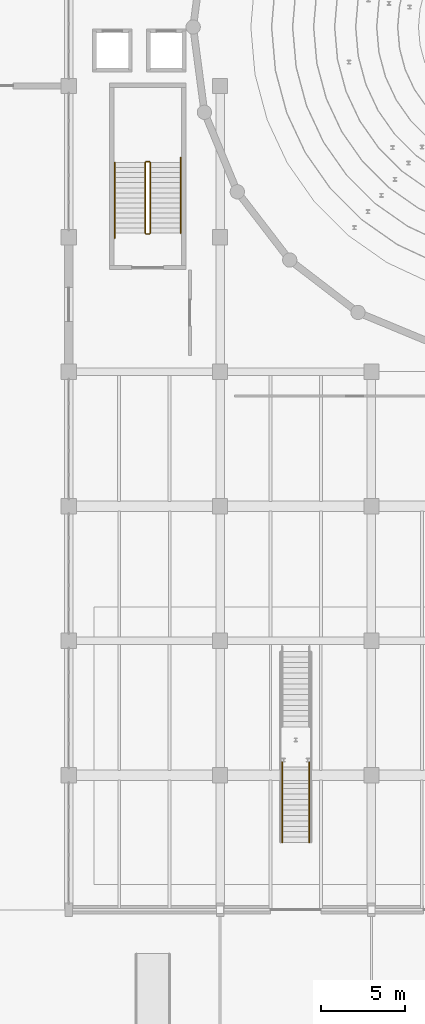
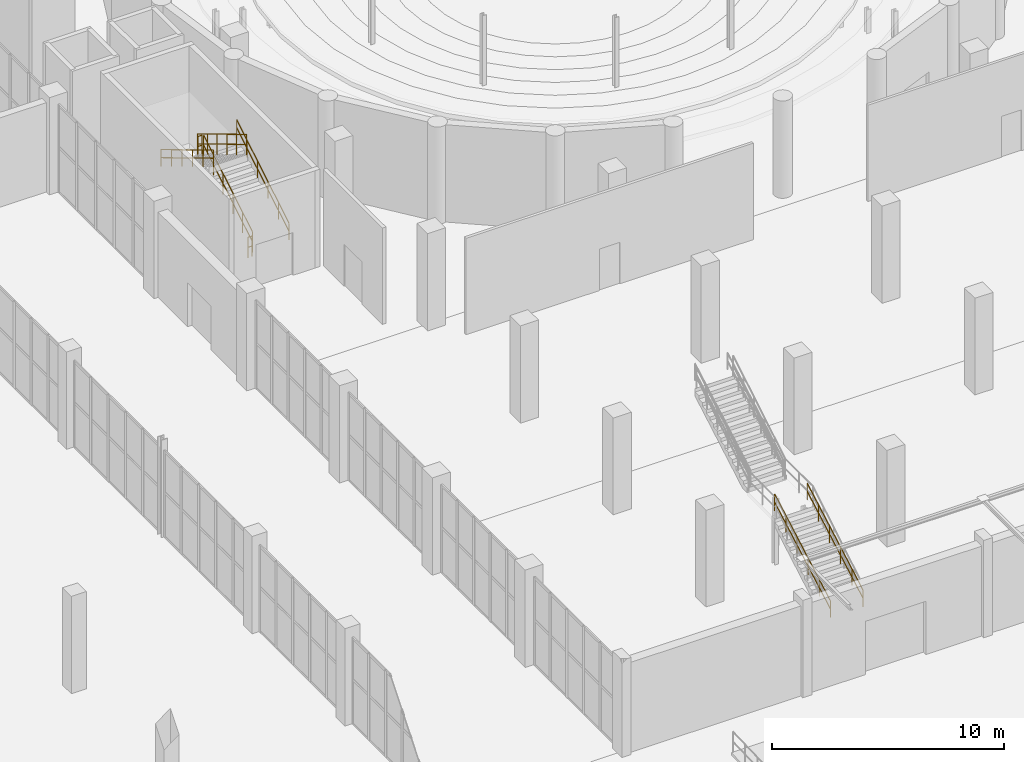
# One storey, part 95 of 103: 8 railings.
"""IFC4 building model written with IfcOpenShell, lengths in metres."""

from ifc_helpers import new_model, si_unit, direction, frame, origin, origin_2d, place, context, subcontext, project, spatial, circle, extrude, material, type_object, element, save


model = new_model("IFC4")

# Units and contexts
model_context = context("Model", 3, precision=1e-05, world=origin(), true_north=direction((0.0, 1.0)))
body_context = subcontext(model_context, "Body", "Model", "MODEL_VIEW")
ifc_project = project(units=[si_unit("LENGTHUNIT", "METRE"), si_unit("AREAUNIT", "SQUARE_METRE"), si_unit("VOLUMEUNIT", "CUBIC_METRE"), si_unit("PLANEANGLEUNIT", "RADIAN"), si_unit("MASSUNIT", "GRAM", prefix="KILO")], contexts=[model_context])

# Site, building, storey
site_placement = place(None, origin())
site = spatial("IfcSite", under=ifc_project, at=site_placement, CompositionType="ELEMENT")
building_placement = place(site_placement, origin())
building = spatial("IfcBuilding", under=site, at=building_placement, Name="Marnock Terrace Opera House", CompositionType="ELEMENT")
storey_placement = place(building_placement, origin())
storey = spatial("IfcBuildingStorey", under=building, at=storey_placement, Name="L00", CompositionType="ELEMENT", Elevation=0.0)

# Railings
ifc_material = material(Name="Architectural bronze balustrade")
railing_type_1 = type_object("IfcRailingType", Name="RL-GUARD-1100", PredefinedType="GUARDRAIL", material=ifc_material)
railing_1_placement = place(storey_placement, frame((59.85009765625, 48.239990234375, 0.179931640625)))
element("IfcRailing", 1, at=railing_1_placement, inside=storey, type_object=railing_type_1, Name="L00 ST-01 stair guard 1", PredefinedType="GUARDRAIL", context=body_context, shape_type="SweptSolid", body=[
    extrude(circle(Radius=0.02392578125, at=origin_2d()), frame((0.0, 0.0, 1.076171875), z_axis=(0.0, 0.857488527567, 0.514503085598), x_axis=(-1.0, 0.0, 0.0)), (0.0, 0.0, 1.0), 4.89794921875),
    extrude(circle(Radius=0.02392578125, at=origin_2d()), frame((0.0, 0.0, 0.550048828125), z_axis=(0.0, 0.857488527567, 0.514503085598), x_axis=(-1.0, 0.0, 0.0)), (0.0, 0.0, 1.0), 4.89794921875),
    extrude(circle(Radius=0.02099609375, at=origin_2d()), origin(), (0.0, 0.0, 1.0), 1.052001953125),
    extrude(circle(Radius=0.02099609375, at=origin_2d()), frame((0.0, 0.840087890625, 0.50390625)), (0.0, 0.0, 1.0), 1.052001953125),
    extrude(circle(Radius=0.02099609375, at=origin_2d()), frame((0.0, 1.679931640625, 1.008056640625)), (0.0, 0.0, 1.0), 1.052001953125),
    extrude(circle(Radius=0.02099609375, at=origin_2d()), frame((0.0, 2.52001953125, 1.511962890625)), (0.0, 0.0, 1.0), 1.052001953125),
    extrude(circle(Radius=0.02099609375, at=origin_2d()), frame((0.0, 3.35986328125, 2.01611328125)), (0.0, 0.0, 1.0), 1.052001953125),
    extrude(circle(Radius=0.02099609375, at=origin_2d()), frame((0.0, 4.199951171875, 2.52001953125)), (0.0, 0.0, 1.0), 1.052001953125),
])
railing_2_placement = place(storey_placement, frame((59.800048828125, 52.489990234375, 2.699951171875)))
element("IfcRailing", 2, at=railing_2_placement, inside=storey, type_object=railing_type_1, Name="L00 ST-01 stair guard 2", PredefinedType="GUARDRAIL", context=body_context, shape_type="SweptSolid", body=[
    extrude(circle(Radius=0.02392578125, at=origin_2d()), frame((0.0, 0.0, 1.076171875), z_axis=(-1.0, 0.0, 0.0), x_axis=(0.0, -1.0, 0.0)), (0.0, 0.0, 1.0), 0.199951171875),
    extrude(circle(Radius=0.02392578125, at=origin_2d()), frame((0.0, 0.0, 0.550048828125), z_axis=(-1.0, 0.0, 0.0), x_axis=(0.0, -1.0, 0.0)), (0.0, 0.0, 1.0), 0.199951171875),
    extrude(circle(Radius=0.02099609375, at=origin_2d()), origin(), (0.0, 0.0, 1.0), 1.052001953125),
    extrude(circle(Radius=0.02099609375, at=origin_2d()), frame((-0.199951171875, 0.0, 0.0)), (0.0, 0.0, 1.0), 1.052001953125),
])
railing_3_placement = place(storey_placement, frame((59.550048828125, 52.43994140625, 2.8798828125)))
element("IfcRailing", 3, at=railing_3_placement, inside=storey, type_object=railing_type_1, Name="L00 ST-01 stair guard 3", PredefinedType="GUARDRAIL", context=body_context, shape_type="SweptSolid", body=[
    extrude(circle(Radius=0.02392578125, at=origin_2d()), frame((0.0, 0.0, 1.076171875), z_axis=(0.0, -0.857488527567, 0.514503085598), x_axis=(1.0, 0.0, 0.0)), (0.0, 0.0, 1.0), 4.89794921875),
    extrude(circle(Radius=0.02392578125, at=origin_2d()), frame((0.0, 0.0, 0.550048828125), z_axis=(0.0, -0.857488527567, 0.514503085598), x_axis=(1.0, 0.0, 0.0)), (0.0, 0.0, 1.0), 4.89794921875),
    extrude(circle(Radius=0.02099609375, at=origin_2d()), origin(), (0.0, 0.0, 1.0), 1.052001953125),
    extrude(circle(Radius=0.02099609375, at=origin_2d()), frame((0.0, -0.840087890625, 0.50390625)), (0.0, 0.0, 1.0), 1.052001953125),
    extrude(circle(Radius=0.02099609375, at=origin_2d()), frame((0.0, -1.679931640625, 1.008056640625)), (0.0, 0.0, 1.0), 1.052001953125),
    extrude(circle(Radius=0.02099609375, at=origin_2d()), frame((0.0, -2.52001953125, 1.511962890625)), (0.0, 0.0, 1.0), 1.052001953125),
    extrude(circle(Radius=0.02099609375, at=origin_2d()), frame((0.0, -3.35986328125, 2.01611328125)), (0.0, 0.0, 1.0), 1.052001953125),
    extrude(circle(Radius=0.02099609375, at=origin_2d()), frame((0.0, -4.199951171875, 2.52001953125)), (0.0, 0.0, 1.0), 1.052001953125),
])
railing_4_placement = place(storey_placement, frame((59.800048828125, 48.18994140625, 0.0)))
element("IfcRailing", 4, at=railing_4_placement, inside=storey, type_object=railing_type_1, Name="L00 ST-01 stair guard 4", PredefinedType="GUARDRAIL", context=body_context, shape_type="SweptSolid", body=[
    extrude(circle(Radius=0.02392578125, at=origin_2d()), frame((0.0, 0.0, 1.076171875), z_axis=(-1.0, 0.0, 0.0), x_axis=(0.0, -1.0, 0.0)), (0.0, 0.0, 1.0), 0.199951171875),
    extrude(circle(Radius=0.02392578125, at=origin_2d()), frame((0.0, 0.0, 0.550048828125), z_axis=(-1.0, 0.0, 0.0), x_axis=(0.0, -1.0, 0.0)), (0.0, 0.0, 1.0), 0.199951171875),
    extrude(circle(Radius=0.02099609375, at=origin_2d()), origin(), (0.0, 0.0, 1.0), 1.052001953125),
    extrude(circle(Radius=0.02099609375, at=origin_2d()), frame((-0.199951171875, 0.0, 0.0)), (0.0, 0.0, 1.0), 1.052001953125),
])
railing_type_2 = type_object("IfcRailingType", Name="RL-HAND-900", PredefinedType="HANDRAIL", material=ifc_material)
railing_5_placement = place(storey_placement, frame((61.669921875, 48.239990234375, 0.19189453125)))
element("IfcRailing", 5, at=railing_5_placement, inside=storey, type_object=railing_type_2, Name="L00 ST-01 stair handrail 1", PredefinedType="HANDRAIL", context=body_context, shape_type="SweptSolid", body=[
    extrude(circle(Radius=0.02392578125, at=origin_2d()), frame((0.0, 0.0, 0.8759765625), z_axis=(0.0, 0.857476506072, 0.514523120505), x_axis=(-1.0, 0.0, 0.0)), (0.0, 0.0, 1.0), 5.248046875),
    extrude(circle(Radius=0.02392578125, at=origin_2d()), frame((0.0, 0.0, 0.449951171875), z_axis=(0.0, 0.857476506072, 0.514523120505), x_axis=(-1.0, 0.0, 0.0)), (0.0, 0.0, 1.0), 5.248046875),
    extrude(circle(Radius=0.02099609375, at=origin_2d()), origin(), (0.0, 0.0, 1.0), 0.851806640625),
    extrude(circle(Radius=0.02099609375, at=origin_2d()), frame((0.0, 0.89990234375, 0.5400390625)), (0.0, 0.0, 1.0), 0.851806640625),
    extrude(circle(Radius=0.02099609375, at=origin_2d()), frame((0.0, 1.800048828125, 1.080078125)), (0.0, 0.0, 1.0), 0.851806640625),
    extrude(circle(Radius=0.02099609375, at=origin_2d()), frame((0.0, 2.699951171875, 1.6201171875)), (0.0, 0.0, 1.0), 0.851806640625),
    extrude(circle(Radius=0.02099609375, at=origin_2d()), frame((0.0, 3.60009765625, 2.16015625)), (0.0, 0.0, 1.0), 0.851806640625),
    extrude(circle(Radius=0.02099609375, at=origin_2d()), frame((0.0, 4.5, 2.7001953125)), (0.0, 0.0, 1.0), 0.851806640625),
])
railing_6_placement = place(storey_placement, frame((57.72998046875, 52.43994140625, 2.89208984375)))
element("IfcRailing", 6, at=railing_6_placement, inside=storey, type_object=railing_type_2, Name="L00 ST-01 stair handrail 2", PredefinedType="HANDRAIL", context=body_context, shape_type="SweptSolid", body=[
    extrude(circle(Radius=0.02392578125, at=origin_2d()), frame((0.0, 0.0, 0.8759765625), z_axis=(0.0, -0.857497030584, 0.514488913912), x_axis=(1.0, 0.0, 0.0)), (0.0, 0.0, 1.0), 5.247802734375),
    extrude(circle(Radius=0.02392578125, at=origin_2d()), frame((0.0, 0.0, 0.449951171875), z_axis=(0.0, -0.857497030584, 0.514488913912), x_axis=(1.0, 0.0, 0.0)), (0.0, 0.0, 1.0), 5.247802734375),
    extrude(circle(Radius=0.02099609375, at=origin_2d()), origin(), (0.0, 0.0, 1.0), 0.851806640625),
    extrude(circle(Radius=0.02099609375, at=origin_2d()), frame((0.0, -0.89990234375, 0.5400390625)), (0.0, 0.0, 1.0), 0.851806640625),
    extrude(circle(Radius=0.02099609375, at=origin_2d()), frame((0.0, -1.800048828125, 1.080078125)), (0.0, 0.0, 1.0), 0.851806640625),
    extrude(circle(Radius=0.02099609375, at=origin_2d()), frame((0.0, -2.699951171875, 1.619873046875)), (0.0, 0.0, 1.0), 0.851806640625),
    extrude(circle(Radius=0.02099609375, at=origin_2d()), frame((0.0, -3.60009765625, 2.159912109375)), (0.0, 0.0, 1.0), 0.851806640625),
    extrude(circle(Radius=0.02099609375, at=origin_2d()), frame((0.0, -4.5, 2.699951171875)), (0.0, 0.0, 1.0), 0.851806640625),
])
for number, where, name in (
    (7, (67.68994140625, 12.0, 0.19189453125), "L00 Grand Stair lower flight handrail L"),
    (8, (69.31005859375, 12.0, 0.19189453125), "L00 Grand Stair lower flight handrail R"),
):
    element("IfcRailing", number, at=place(storey_placement, frame(where)), inside=storey, type_object=railing_type_2, Name=name, PredefinedType="HANDRAIL", context=body_context, shape_type="SweptSolid", body=[
        extrude(circle(Radius=0.02392578125, at=origin_2d()), frame((0.0, 0.0, 0.8759765625), z_axis=(0.0, 0.871562514201, 0.490284390777), x_axis=(-1.0, 0.0, 0.0)), (0.0, 0.0, 1.0), 5.50732421875),
        extrude(circle(Radius=0.02392578125, at=origin_2d()), frame((0.0, 0.0, 0.449951171875), z_axis=(0.0, 0.871562514201, 0.490284390777), x_axis=(-1.0, 0.0, 0.0)), (0.0, 0.0, 1.0), 5.50732421875),
        extrude(circle(Radius=0.02099609375, at=origin_2d()), origin(), (0.0, 0.0, 1.0), 0.851806640625),
        extrude(circle(Radius=0.02099609375, at=origin_2d()), frame((0.0, 0.9599609375, 0.5400390625)), (0.0, 0.0, 1.0), 0.851806640625),
        extrude(circle(Radius=0.02099609375, at=origin_2d()), frame((0.0, 1.919921875, 1.080078125)), (0.0, 0.0, 1.0), 0.851806640625),
        extrude(circle(Radius=0.02099609375, at=origin_2d()), frame((0.0, 2.880126953125, 1.6201171875)), (0.0, 0.0, 1.0), 0.851806640625),
        extrude(circle(Radius=0.02099609375, at=origin_2d()), frame((0.0, 3.840087890625, 2.16015625)), (0.0, 0.0, 1.0), 0.851806640625),
        extrude(circle(Radius=0.02099609375, at=origin_2d()), frame((0.0, 4.800048828125, 2.7001953125)), (0.0, 0.0, 1.0), 0.851806640625),
    ])

save(model, "model.ifc")
